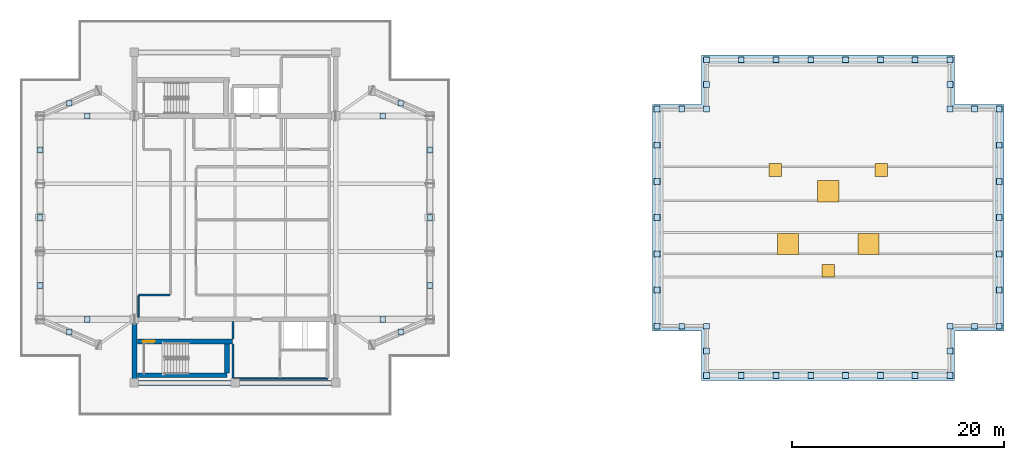
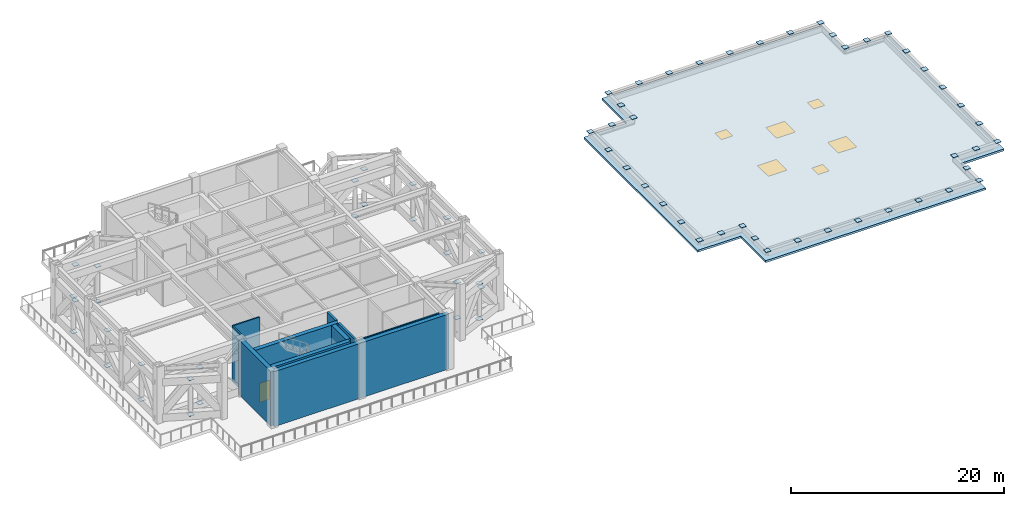
# One storey, part 5 of 11: 70 plates, 10 walls, 6 windows, 1 door, 1 slab, 7 openings.
"""IFC4 building model written with IfcOpenShell, lengths in metres."""

from ifc_helpers import new_model, si_unit, direction, frame, frame_2d, origin, origin_2d, place, context, subcontext, project, spatial, polyline, rectangle, outline, extrude, material, layer, layer_set, type_object, element, fill, save


model = new_model("IFC4")

# Units and contexts
model_context = context("Model", 3, precision=1e-05, world=origin(), true_north=direction((0.0, 1.0)))
body_context = subcontext(model_context, "Body", "Model", "MODEL_VIEW")
ifc_project = project(units=[si_unit("LENGTHUNIT", "METRE"), si_unit("AREAUNIT", "SQUARE_METRE"), si_unit("VOLUMEUNIT", "CUBIC_METRE"), si_unit("PLANEANGLEUNIT", "RADIAN"), si_unit("MASSUNIT", "GRAM", prefix="KILO")], contexts=[model_context])

# Site, building, storey
site_placement = place(None, origin())
site = spatial("IfcSite", under=ifc_project, at=site_placement, CompositionType="ELEMENT")
building_placement = place(site_placement, origin())
building = spatial("IfcBuilding", under=site, at=building_placement, Name="Mirazonda Arch Towers", CompositionType="ELEMENT")
storey_placement = place(building_placement, frame((0.0, 0.0, 212.89990234375)))
storey = spatial("IfcBuildingStorey", under=building, at=storey_placement, Name="L61", CompositionType="ELEMENT", Elevation=212.89990234375)

# Plates
ifc_material_1 = material(Name="Steel ASTM A572 Grade 50", Category="steel")
ifc_layer_1 = layer(ifc_material_1, 0.030029296875, Name="PLATE-CAP-550x550x30")
ifc_layer_set_1 = layer_set([ifc_layer_1], Name="Steel ASTM A572 Grade 50")
plate_type = type_object("IfcPlateType", Name="PLATE-CAP-550x550x30", PredefinedType="USERDEFINED", material=ifc_layer_set_1)
for number, where, z_axis, x_axis, name in (
    (1, (2.10009765625, 21.60009765625, 0.52197265625), (0.0, 0.0, 1.0), (1.0, 0.0, 0.0), "Steel end closure plate NP-BLT-L61-T1-ST01A"),
    (2, (2.10009765625, 21.60009765625, 4.608154296875), (0.0, 0.0, 1.0), (1.0, 0.0, 0.0), "Steel end closure plate NP-BLT-L61-T1-ST01B"),
    (3, (2.10009765625, 28.0, 0.52197265625), (0.0, 0.0, 1.0), (1.0, 0.0, 0.0), "Steel end closure plate NP-BLT-L61-T1-ST02A"),
    (4, (2.10009765625, 28.0, 4.608154296875), (0.0, 0.0, 1.0), (1.0, 0.0, 0.0), "Steel end closure plate NP-BLT-L61-T1-ST02B"),
    (5, (2.10009765625, 34.39990234375, 0.52197265625), (0.0, 0.0, 1.0), (1.0, 0.0, 0.0), "Steel end closure plate NP-BLT-L61-T1-ST03A"),
    (6, (2.10009765625, 34.39990234375, 4.608154296875), (0.0, 0.0, 1.0), (1.0, 0.0, 0.0), "Steel end closure plate NP-BLT-L61-T1-ST03B"),
    (7, (38.89990234375, 21.60009765625, 0.52197265625), (0.0, 0.0, 1.0), (1.0, 0.0, 0.0), "Steel end closure plate NP-BLT-L61-T1-ST04A"),
    (8, (38.89990234375, 21.60009765625, 4.608154296875), (0.0, 0.0, 1.0), (1.0, 0.0, 0.0), "Steel end closure plate NP-BLT-L61-T1-ST04B"),
    (9, (38.89990234375, 28.0, 0.52197265625), (0.0, 0.0, 1.0), (1.0, 0.0, 0.0), "Steel end closure plate NP-BLT-L61-T1-ST05A"),
    (10, (38.89990234375, 28.0, 4.608154296875), (0.0, 0.0, 1.0), (1.0, 0.0, 0.0), "Steel end closure plate NP-BLT-L61-T1-ST05B"),
    (11, (38.89990234375, 34.39990234375, 0.52197265625), (0.0, 0.0, 1.0), (1.0, 0.0, 0.0), "Steel end closure plate NP-BLT-L61-T1-ST06A"),
    (12, (38.89990234375, 34.39990234375, 4.608154296875), (0.0, 0.0, 1.0), (1.0, 0.0, 0.0), "Steel end closure plate NP-BLT-L61-T1-ST06B"),
    (13, (4.85009765625, 17.199951171875, 0.52197265625), (0.0, 0.0, 1.0), (1.0, 0.0, 0.0), "Steel end closure plate NP-BLT-L61-T1-ST07A"),
    (14, (4.85009765625, 17.199951171875, 4.608154296875), (0.0, 0.0, 1.0), (1.0, 0.0, 0.0), "Steel end closure plate NP-BLT-L61-T1-ST07B"),
    (15, (36.14990234375, 17.199951171875, 0.52197265625), (0.0, 0.0, 1.0), (1.0, 0.0, 0.0), "Steel end closure plate NP-BLT-L61-T1-ST08A"),
    (16, (36.14990234375, 17.199951171875, 4.608154296875), (0.0, 0.0, 1.0), (1.0, 0.0, 0.0), "Steel end closure plate NP-BLT-L61-T1-ST08B"),
    (17, (4.85009765625, 38.800048828125, 0.52197265625), (0.0, 0.0, 1.0), (1.0, 0.0, 0.0), "Steel end closure plate NP-BLT-L61-T1-ST09A"),
    (18, (4.85009765625, 38.800048828125, 4.608154296875), (0.0, 0.0, 1.0), (1.0, 0.0, 0.0), "Steel end closure plate NP-BLT-L61-T1-ST09B"),
    (19, (36.14990234375, 38.800048828125, 0.52197265625), (0.0, 0.0, 1.0), (1.0, 0.0, 0.0), "Steel end closure plate NP-BLT-L61-T1-ST10A"),
    (20, (36.14990234375, 38.800048828125, 4.608154296875), (0.0, 0.0, 1.0), (1.0, 0.0, 0.0), "Steel end closure plate NP-BLT-L61-T1-ST10B"),
    (21, (6.550048828125, 18.39990234375, 0.52197265625), (0.0, 0.0, 1.0), (1.0, 0.0, 0.0), "Steel end closure plate NP-OUT-L61-T1-ST01A"),
    (22, (6.550048828125, 18.39990234375, 4.608154296875), (0.0, 0.0, 1.0), (1.0, 0.0, 0.0), "Steel end closure plate NP-OUT-L61-T1-ST01B"),
    (23, (34.449951171875, 18.39990234375, 0.52197265625), (0.0, 0.0, 1.0), (1.0, 0.0, 0.0), "Steel end closure plate NP-OUT-L61-T1-ST02A"),
    (24, (34.449951171875, 18.39990234375, 4.608154296875), (0.0, 0.0, 1.0), (1.0, 0.0, 0.0), "Steel end closure plate NP-OUT-L61-T1-ST02B"),
    (25, (6.550048828125, 37.60009765625, 0.52197265625), (0.0, 0.0, 1.0), (1.0, 0.0, 0.0), "Steel end closure plate NP-OUT-L61-T1-ST03A"),
    (26, (6.550048828125, 37.60009765625, 4.608154296875), (0.0, 0.0, 1.0), (1.0, 0.0, 0.0), "Steel end closure plate NP-OUT-L61-T1-ST03B"),
    (27, (34.449951171875, 37.60009765625, 0.52197265625), (0.0, 0.0, 1.0), (1.0, 0.0, 0.0), "Steel end closure plate NP-OUT-L61-T1-ST04A"),
    (28, (34.449951171875, 37.60009765625, 4.608154296875), (0.0, 0.0, 1.0), (1.0, 0.0, 0.0), "Steel end closure plate NP-OUT-L61-T1-ST04B"),
    (29, (65.01220703125, 13.091552734375, 0.738037109375), (0.0, 0.0, 1.0), (1.0, 0.0, 0.0), "Steel end closure plate NP-CRN-T2-P01T"),
    (30, (68.29443359375, 13.091552734375, 0.738037109375), (0.0, 0.0, 1.0), (1.0, 0.0, 0.0), "Steel end closure plate NP-CRN-T2-P02T"),
    (31, (71.57666015625, 13.091552734375, 0.738037109375), (0.0, 0.0, 1.0), (1.0, 0.0, 0.0), "Steel end closure plate NP-CRN-T2-P03T"),
    (32, (74.85888671875, 13.091552734375, 0.738037109375), (0.0, 0.0, 1.0), (1.0, 0.0, 0.0), "Steel end closure plate NP-CRN-T2-P04T"),
    (33, (78.14111328125, 13.091552734375, 0.738037109375), (0.0, 0.0, 1.0), (1.0, 0.0, 0.0), "Steel end closure plate NP-CRN-T2-P05T"),
    (34, (81.42333984375, 13.091552734375, 0.738037109375), (0.0, 0.0, 1.0), (1.0, 0.0, 0.0), "Steel end closure plate NP-CRN-T2-P06T"),
    (35, (84.70556640625, 13.091552734375, 0.738037109375), (0.0, 0.0, 1.0), (1.0, 0.0, 0.0), "Steel end closure plate NP-CRN-T2-P07T"),
    (36, (87.98779296875, 13.091552734375, 0.738037109375), (0.0, 0.0, 1.0), (1.0, 0.0, 0.0), "Steel end closure plate NP-CRN-T2-P08T"),
    (37, (87.98779296875, 15.42138671875, 0.738037109375), (0.0, 0.0, 1.0), (1.0, 0.0, 0.0), "Steel end closure plate NP-CRN-T2-P09T"),
    (38, (87.98779296875, 17.751220703125, 0.738037109375), (0.0, 0.0, 1.0), (1.0, 0.0, 0.0), "Steel end closure plate NP-CRN-T2-P10T"),
    (39, (90.317626953125, 17.751220703125, 0.738037109375), (0.0, 0.0, 1.0), (1.0, 0.0, 0.0), "Steel end closure plate NP-CRN-T2-P11T"),
    (40, (92.6474609375, 17.751220703125, 0.738037109375), (0.0, 0.0, 1.0), (1.0, 0.0, 0.0), "Steel end closure plate NP-CRN-T2-P12T"),
    (41, (92.6474609375, 21.16748046875, 0.738037109375), (0.0, 0.0, 1.0), (1.0, 0.0, 0.0), "Steel end closure plate NP-CRN-T2-P13T"),
    (42, (92.6474609375, 24.583740234375, 0.738037109375), (0.0, 0.0, 1.0), (1.0, 0.0, 0.0), "Steel end closure plate NP-CRN-T2-P14T"),
    (43, (92.6474609375, 28.0, 0.738037109375), (0.0, 0.0, 1.0), (1.0, 0.0, 0.0), "Steel end closure plate NP-CRN-T2-P15T"),
    (44, (92.6474609375, 31.416259765625, 0.738037109375), (0.0, 0.0, 1.0), (1.0, 0.0, 0.0), "Steel end closure plate NP-CRN-T2-P16T"),
    (45, (92.6474609375, 34.83251953125, 0.738037109375), (0.0, 0.0, 1.0), (1.0, 0.0, 0.0), "Steel end closure plate NP-CRN-T2-P17T"),
    (46, (92.6474609375, 38.248779296875, 0.738037109375), (0.0, 0.0, 1.0), (1.0, 0.0, 0.0), "Steel end closure plate NP-CRN-T2-P18T"),
    (47, (90.317626953125, 38.248779296875, 0.738037109375), (0.0, 0.0, 1.0), (1.0, 0.0, 0.0), "Steel end closure plate NP-CRN-T2-P19T"),
    (48, (87.98779296875, 38.248779296875, 0.738037109375), (0.0, 0.0, 1.0), (1.0, 0.0, 0.0), "Steel end closure plate NP-CRN-T2-P20T"),
    (49, (87.98779296875, 40.57861328125, 0.738037109375), (0.0, 0.0, 1.0), (1.0, 0.0, 0.0), "Steel end closure plate NP-CRN-T2-P21T"),
    (50, (87.98779296875, 42.908447265625, 0.738037109375), (0.0, 0.0, 1.0), (1.0, 0.0, 0.0), "Steel end closure plate NP-CRN-T2-P22T"),
    (51, (84.70556640625, 42.908447265625, 0.738037109375), (0.0, 0.0, 1.0), (1.0, 0.0, 0.0), "Steel end closure plate NP-CRN-T2-P23T"),
    (52, (81.42333984375, 42.908447265625, 0.738037109375), (0.0, 0.0, 1.0), (1.0, 0.0, 0.0), "Steel end closure plate NP-CRN-T2-P24T"),
    (53, (78.14111328125, 42.908447265625, 0.738037109375), (0.0, 0.0, 1.0), (1.0, 0.0, 0.0), "Steel end closure plate NP-CRN-T2-P25T"),
    (54, (74.85888671875, 42.908447265625, 0.738037109375), (0.0, 0.0, 1.0), (1.0, 0.0, 0.0), "Steel end closure plate NP-CRN-T2-P26T"),
    (55, (71.57666015625, 42.908447265625, 0.738037109375), (0.0, 0.0, 1.0), (1.0, 0.0, 0.0), "Steel end closure plate NP-CRN-T2-P27T"),
    (56, (68.29443359375, 42.908447265625, 0.738037109375), (0.0, 0.0, 1.0), (1.0, 0.0, 0.0), "Steel end closure plate NP-CRN-T2-P28T"),
    (57, (65.01220703125, 42.908447265625, 0.738037109375), (0.0, 0.0, 1.0), (1.0, 0.0, 0.0), "Steel end closure plate NP-CRN-T2-P29T"),
    (58, (65.01220703125, 40.57861328125, 0.738037109375), (0.0, 0.0, 1.0), (1.0, 0.0, 0.0), "Steel end closure plate NP-CRN-T2-P30T"),
    (59, (65.01220703125, 38.248779296875, 0.738037109375), (0.0, 0.0, 1.0), (1.0, 0.0, 0.0), "Steel end closure plate NP-CRN-T2-P31T"),
    (60, (62.682373046875, 38.248779296875, 0.738037109375), (0.0, 0.0, 1.0), (1.0, 0.0, 0.0), "Steel end closure plate NP-CRN-T2-P32T"),
    (61, (60.3525390625, 38.248779296875, 0.738037109375), (0.0, 0.0, 1.0), (1.0, 0.0, 0.0), "Steel end closure plate NP-CRN-T2-P33T"),
    (62, (60.3525390625, 34.83251953125, 0.738037109375), (0.0, 0.0, 1.0), (1.0, 0.0, 0.0), "Steel end closure plate NP-CRN-T2-P34T"),
    (63, (60.3525390625, 31.416259765625, 0.738037109375), (0.0, 0.0, 1.0), (1.0, 0.0, 0.0), "Steel end closure plate NP-CRN-T2-P35T"),
    (64, (60.3525390625, 28.0, 0.738037109375), (0.0, 0.0, 1.0), (1.0, 0.0, 0.0), "Steel end closure plate NP-CRN-T2-P36T"),
    (65, (60.3525390625, 24.583740234375, 0.738037109375), (0.0, 0.0, 1.0), (1.0, 0.0, 0.0), "Steel end closure plate NP-CRN-T2-P37T"),
    (66, (60.3525390625, 21.16748046875, 0.738037109375), (0.0, 0.0, 1.0), (1.0, 0.0, 0.0), "Steel end closure plate NP-CRN-T2-P38T"),
    (67, (60.3525390625, 17.751220703125, 0.738037109375), (0.0, 0.0, 1.0), (1.0, 0.0, 0.0), "Steel end closure plate NP-CRN-T2-P39T"),
    (68, (62.682373046875, 17.751220703125, 0.738037109375), (0.0, 0.0, 1.0), (1.0, 0.0, 0.0), "Steel end closure plate NP-CRN-T2-P40T"),
    (69, (65.01220703125, 17.751220703125, 0.738037109375), (0.0, 0.0, 1.0), (1.0, 0.0, 0.0), "Steel end closure plate NP-CRN-T2-P41T"),
    (70, (65.01220703125, 15.42138671875, 0.738037109375), (0.0, 0.0, 1.0), (1.0, 0.0, 0.0), "Steel end closure plate NP-CRN-T2-P42T"),
):
    element("IfcPlate", number, at=place(storey_placement, frame(where, z_axis=z_axis, x_axis=x_axis)), inside=storey, type_object=plate_type, Name=name, ObjectType="CAP PLATE", PredefinedType="USERDEFINED", context=body_context, shape_type="SweptSolid", body=[
        extrude(rectangle(XDim=0.550048828125, YDim=0.550048828125, at=origin_2d()), origin(), (0.0, 0.0, 1.0), 0.0400390625),
    ])

# Slab, openings, windows
ifc_material_2 = material(Name="Concrete C40/50", Category="concrete")
ifc_layer_2 = layer(ifc_material_2, 0.22998046875, Name="SLAB-ROOF-CROWN-230")
ifc_layer_set_2 = layer_set([ifc_layer_2], Name="Concrete C40/50")
slab_type = type_object("IfcSlabType", Name="SLAB-ROOF-CROWN-230", PredefinedType="ROOF", material=ifc_layer_set_2)
slab_placement = place(storey_placement, frame((0.0, 0.0, -0.22998046875)))
slab = element("IfcSlab", 71, at=slab_placement, inside=storey, type_object=slab_type, Name="L61 Tower 2 Closed Constructivist Ring Crown Roof Cap", PredefinedType="ROOF", context=body_context, shape_type="SweptSolid", body=[
    extrude(outline(polyline([(88.437744140625, 12.6416015625), (88.437744140625, 17.30126953125), (93.097412109375, 17.30126953125), (93.097412109375, 38.69873046875), (88.437744140625, 38.69873046875), (88.437744140625, 43.3583984375), (64.562255859375, 43.3583984375), (64.562255859375, 38.69873046875), (59.902587890625, 38.69873046875), (59.902587890625, 17.30126953125), (64.562255859375, 17.30126953125), (64.562255859375, 12.6416015625), (88.437744140625, 12.6416015625)])), origin(), (0.0, 0.0, 1.0), 0.22998046875),
])
opening_1_placement = place(slab_placement, frame((72.699951171875, 25.5, 0.0)))
opening_1 = element("IfcOpeningElement", 72, at=opening_1_placement, cuts=slab, Name="Opening WN-131", PredefinedType="OPENING", context=body_context, shape_type="SweptSolid", body=[
    extrude(rectangle(XDim=2.0, YDim=2.0, at=origin_2d()), frame((0.0, 0.0, -0.010009765625)), (0.0, 0.0, 1.0), 0.25),
])
opening_2_placement = place(slab_placement, frame((80.300048828125, 25.5, 0.0)))
opening_2 = element("IfcOpeningElement", 73, at=opening_2_placement, cuts=slab, Name="Opening WN-131", PredefinedType="OPENING", context=body_context, shape_type="SweptSolid", body=[
    extrude(rectangle(XDim=2.0, YDim=2.0, at=origin_2d()), frame((0.0, 0.0, -0.010009765625)), (0.0, 0.0, 1.0), 0.25),
])
opening_3_placement = place(slab_placement, frame((76.5, 30.5, 0.0)))
opening_3 = element("IfcOpeningElement", 74, at=opening_3_placement, cuts=slab, Name="Opening WN-131", PredefinedType="OPENING", context=body_context, shape_type="SweptSolid", body=[
    extrude(rectangle(XDim=2.0, YDim=2.0, at=origin_2d()), frame((0.0, 0.0, -0.010009765625)), (0.0, 0.0, 1.0), 0.25),
])
opening_4_placement = place(slab_placement, frame((71.5, 32.5, 0.0)))
opening_4 = element("IfcOpeningElement", 75, at=opening_4_placement, cuts=slab, Name="Opening WN-110", PredefinedType="OPENING", context=body_context, shape_type="SweptSolid", body=[
    extrude(rectangle(XDim=1.199951171875, YDim=1.199951171875, at=origin_2d()), frame((0.0, 0.0, -0.010009765625)), (0.0, 0.0, 1.0), 0.25),
])
opening_5_placement = place(slab_placement, frame((81.5, 32.5, 0.0)))
opening_5 = element("IfcOpeningElement", 76, at=opening_5_placement, cuts=slab, Name="Opening WN-110", PredefinedType="OPENING", context=body_context, shape_type="SweptSolid", body=[
    extrude(rectangle(XDim=1.199951171875, YDim=1.199951171875, at=origin_2d()), frame((0.0, 0.0, -0.010009765625)), (0.0, 0.0, 1.0), 0.25),
])
opening_6_placement = place(slab_placement, frame((76.5, 23.0, 0.0)))
opening_6 = element("IfcOpeningElement", 77, at=opening_6_placement, cuts=slab, Name="Opening WN-110", PredefinedType="OPENING", context=body_context, shape_type="SweptSolid", body=[
    extrude(rectangle(XDim=1.199951171875, YDim=1.199951171875, at=origin_2d()), frame((0.0, 0.0, -0.010009765625)), (0.0, 0.0, 1.0), 0.25),
])
ifc_material_3 = material(Name="Insulated Low-E Solar Glass", Category="glass")
window_type_1 = type_object("IfcWindowType", Name="WIN-HATCH-ROOF-1200x1200", PartitioningType="SINGLE_PANEL", PredefinedType="SKYLIGHT", material=ifc_material_3)
window_1_placement = place(opening_4_placement, frame((0.0, 0.0, 0.179931640625)))
window_1 = element("IfcWindow", 78, at=window_1_placement, inside=storey, type_object=window_type_1, Name="T2 Crown Roof Maintenance Access Hatch 1", OverallHeight=1.199951171875, OverallWidth=1.199951171875, PartitioningType="SINGLE_PANEL", PredefinedType="SKYLIGHT", context=body_context, shape_type="SweptSolid", body=[
    extrude(rectangle(XDim=1.199951171875, YDim=1.199951171875, at=origin_2d()), origin(), (0.0, 0.0, 1.0), 0.050048828125),
])
fill(opening_4, window_1)
window_2_placement = place(opening_5_placement, frame((0.0, 0.0, 0.179931640625)))
window_2 = element("IfcWindow", 79, at=window_2_placement, inside=storey, type_object=window_type_1, Name="T2 Crown Roof Maintenance Access Hatch 2", OverallHeight=1.199951171875, OverallWidth=1.199951171875, PartitioningType="SINGLE_PANEL", PredefinedType="SKYLIGHT", context=body_context, shape_type="SweptSolid", body=[
    extrude(rectangle(XDim=1.199951171875, YDim=1.199951171875, at=origin_2d()), origin(), (0.0, 0.0, 1.0), 0.050048828125),
])
fill(opening_5, window_2)
window_3_placement = place(opening_6_placement, frame((0.0, 0.0, 0.179931640625)))
window_3 = element("IfcWindow", 80, at=window_3_placement, inside=storey, type_object=window_type_1, Name="T2 Crown Roof Maintenance Access Hatch 3", OverallHeight=1.199951171875, OverallWidth=1.199951171875, PartitioningType="SINGLE_PANEL", PredefinedType="SKYLIGHT", context=body_context, shape_type="SweptSolid", body=[
    extrude(rectangle(XDim=1.199951171875, YDim=1.199951171875, at=origin_2d()), origin(), (0.0, 0.0, 1.0), 0.050048828125),
])
fill(opening_6, window_3)
window_type_2 = type_object("IfcWindowType", Name="WIN-SKY-CROWN-2000x2000", PartitioningType="SINGLE_PANEL", PredefinedType="SKYLIGHT", material=ifc_material_3)
window_4_placement = place(opening_1_placement, frame((0.0, 0.0, 0.179931640625)))
window_4 = element("IfcWindow", 81, at=window_4_placement, inside=storey, type_object=window_type_2, Name="T2 Crown Roof Skylight 1", OverallHeight=2.0, OverallWidth=2.0, PartitioningType="SINGLE_PANEL", PredefinedType="SKYLIGHT", context=body_context, shape_type="SweptSolid", body=[
    extrude(rectangle(XDim=2.0, YDim=2.0, at=origin_2d()), origin(), (0.0, 0.0, 1.0), 0.050048828125),
])
fill(opening_1, window_4)
window_5_placement = place(opening_2_placement, frame((0.0, 0.0, 0.179931640625)))
window_5 = element("IfcWindow", 82, at=window_5_placement, inside=storey, type_object=window_type_2, Name="T2 Crown Roof Skylight 2", OverallHeight=2.0, OverallWidth=2.0, PartitioningType="SINGLE_PANEL", PredefinedType="SKYLIGHT", context=body_context, shape_type="SweptSolid", body=[
    extrude(rectangle(XDim=2.0, YDim=2.0, at=origin_2d()), origin(), (0.0, 0.0, 1.0), 0.050048828125),
])
fill(opening_2, window_5)
window_6_placement = place(opening_3_placement, frame((0.0, 0.0, 0.179931640625)))
window_6 = element("IfcWindow", 83, at=window_6_placement, inside=storey, type_object=window_type_2, Name="T2 Crown Roof Skylight 3", OverallHeight=2.0, OverallWidth=2.0, PartitioningType="SINGLE_PANEL", PredefinedType="SKYLIGHT", context=body_context, shape_type="SweptSolid", body=[
    extrude(rectangle(XDim=2.0, YDim=2.0, at=origin_2d()), origin(), (0.0, 0.0, 1.0), 0.050048828125),
])
fill(opening_3, window_6)

# Walls
ifc_material_4 = material(Name="Concrete C50/60", Category="concrete")
ifc_layer_3 = layer(ifc_material_4, 0.449951171875, Name="WALL-CORE-450")
ifc_layer_set_3 = layer_set([ifc_layer_3], Name="Concrete C50/60")
wall_type_1 = type_object("IfcWallType", Name="WALL-CORE-450", PredefinedType="SHEAR", material=ifc_layer_set_3)
wall_1_placement = place(storey_placement, frame((11.0, 12.39990234375, 0.0), z_axis=(0.0, 0.0, 1.0), x_axis=(1.0, 0.0, 0.0)))
element("IfcWall", 84, at=wall_1_placement, inside=storey, type_object=wall_type_1, Name="L61 T1S-S Core Shear Wall", PredefinedType="SHEAR", context=body_context, shape_type="SweptSolid", body=[
    extrude(rectangle(XDim=19.0, YDim=0.449951171875, at=frame_2d((9.5, 0.0))), origin(), (0.0, 0.0, 1.0), 6.300048828125),
])
wall_2_placement = place(storey_placement, frame((11.0, 12.39990234375, 0.0), z_axis=(0.0, 0.0, 1.0), x_axis=(0.0, 1.0, 0.0)))
element("IfcWall", 85, at=wall_2_placement, inside=storey, type_object=wall_type_1, Name="L61 T1S-W Core Shear Wall", PredefinedType="SHEAR", context=body_context, shape_type="SweptSolid", body=[
    extrude(rectangle(XDim=6.0, YDim=0.449951171875, at=frame_2d((3.0, 0.0))), origin(), (0.0, 0.0, 1.0), 6.300048828125),
])
wall_3_placement = place(storey_placement, frame((11.27001953125, 13.1201171875, 0.0), z_axis=(0.0, 0.0, 1.0), x_axis=(1.0, 0.0, 0.0)))
element("IfcWall", 86, at=wall_3_placement, inside=storey, type_object=wall_type_1, Name="L61 Stair Core Shear Wall 002", PredefinedType="SHEAR", context=body_context, shape_type="SweptSolid", body=[
    extrude(rectangle(XDim=8.4599609375, YDim=0.449951171875, at=frame_2d((4.22998046875, 0.0))), origin(), (0.0, 0.0, 1.0), 6.300048828125),
])

# Wall, opening, door
wall_4_placement = place(storey_placement, frame((11.27001953125, 16.320068359375, 0.0), z_axis=(0.0, 0.0, 1.0), x_axis=(1.0, 0.0, 0.0)))
wall_4 = element("IfcWall", 87, at=wall_4_placement, inside=storey, type_object=wall_type_1, Name="L61 Stair Core Shear Wall 004", PredefinedType="SHEAR", context=body_context, shape_type="SweptSolid", body=[
    extrude(rectangle(XDim=9.010009765625, YDim=0.449951171875, at=frame_2d((4.5048828125, 0.0))), origin(), (0.0, 0.0, 1.0), 6.300048828125),
])
opening_7_placement = place(wall_4_placement, frame((0.52001953125, 0.0, 0.0)))
opening_7 = element("IfcOpeningElement", 88, at=opening_7_placement, cuts=wall_4, Name="Opening DR-135", PredefinedType="OPENING", context=body_context, shape_type="SweptSolid", body=[
    extrude(rectangle(XDim=1.14990234375, YDim=2.199951171875, at=frame_2d((0.574951171875, 1.10009765625))), frame((0.0, 0.23486328125, 0.0), z_axis=(0.0, -1.0, 0.0), x_axis=(1.0, 0.0, 0.0)), (0.0, 0.0, 1.0), 0.469970703125),
])
ifc_material_5 = material(Name="Architectural Brushed Steel S355", Category="steel")
door_type = type_object("IfcDoorType", Name="DOOR-STAIR-FD90-1150", OperationType="NOTDEFINED", PredefinedType="DOOR", material=ifc_material_5)
door_placement = place(opening_7_placement, origin())
door = element("IfcDoor", 89, at=door_placement, inside=storey, type_object=door_type, Name="L61 Protected Exit Stair South Door", OperationType="SINGLE_SWING_LEFT", OverallHeight=2.199951171875, OverallWidth=1.14990234375, PredefinedType="DOOR", context=body_context, shape_type="SweptSolid", body=[
    extrude(rectangle(XDim=1.14990234375, YDim=2.199951171875, at=frame_2d((0.574951171875, 1.10009765625))), frame((0.0, 0.02490234375, 0.0), z_axis=(0.0, -1.0, 0.0), x_axis=(1.0, 0.0, 0.0)), (0.0, 0.0, 1.0), 0.050048828125),
])
fill(opening_7, door)

# Walls
wall_5_placement = place(storey_placement, frame((19.72998046875, 13.35498046875, 0.0), z_axis=(0.0, 0.0, 1.0), x_axis=(0.0, 1.0, 0.0)))
element("IfcWall", 90, at=wall_5_placement, inside=storey, type_object=wall_type_1, Name="L61 Stair Core Shear Wall 018", PredefinedType="SHEAR", context=body_context, shape_type="SweptSolid", body=[
    extrude(rectangle(XDim=2.72998046875, YDim=0.449951171875, at=frame_2d((1.364990234375, 0.0))), origin(), (0.0, 0.0, 1.0), 6.300048828125),
])
ifc_layer_4 = layer(ifc_material_2, 0.219970703125, Name="WALL-FFL-220")
ifc_layer_set_4 = layer_set([ifc_layer_4], Name="Concrete C40/50")
wall_type_2 = type_object("IfcWallType", Name="WALL-FFL-220", PredefinedType="SOLIDWALL", material=ifc_layer_set_4)
wall_6_placement = place(storey_placement, frame((20.31494140625, 12.885009765625, 0.0), z_axis=(0.0, 0.0, 1.0), x_axis=(0.0, 1.0, 0.0)))
element("IfcWall", 91, at=wall_6_placement, inside=storey, type_object=wall_type_2, Name="L61 Interior Partition 020", PredefinedType="SOLIDWALL", context=body_context, shape_type="SweptSolid", body=[
    extrude(rectangle(XDim=3.199951171875, YDim=0.219970703125, at=frame_2d((1.60009765625, 0.0))), origin(), (0.0, 0.0, 1.0), 6.300048828125),
])
wall_7_placement = place(storey_placement, frame((20.31494140625, 16.554931640625, 0.0), z_axis=(0.0, 0.0, 1.0), x_axis=(0.0, 1.0, 0.0)))
element("IfcWall", 92, at=wall_7_placement, inside=storey, type_object=wall_type_2, Name="L61 Interior Partition 021", PredefinedType="SOLIDWALL", context=body_context, shape_type="SweptSolid", body=[
    extrude(rectangle(XDim=1.625, YDim=0.219970703125, at=frame_2d((0.8125, 0.0))), origin(), (0.0, 0.0, 1.0), 6.300048828125),
])
ifc_material_6 = material(Name="Fire-Rated Gypsum Stud Partition")
ifc_layer_5 = layer(ifc_material_6, 0.14990234375, Name="WALL-PART-CORR-150")
ifc_layer_set_5 = layer_set([ifc_layer_5], Name="Fire-Rated Gypsum Stud Partition")
wall_type_3 = type_object("IfcWallType", Name="WALL-PART-CORR-150", PredefinedType="PARTITIONING", material=ifc_layer_set_5)
wall_8_placement = place(storey_placement, frame((20.35009765625, 12.800048828125, 0.0), z_axis=(0.0, 0.0, 1.0), x_axis=(1.0, 0.0, 0.0)))
element("IfcWall", 93, at=wall_8_placement, inside=storey, type_object=wall_type_3, Name="L61 Interior Partition 001", PredefinedType="PARTITIONING", context=body_context, shape_type="SweptSolid", body=[
    extrude(rectangle(XDim=8.89990234375, YDim=0.14990234375, at=frame_2d((4.449951171875, 0.0))), origin(), (0.0, 0.0, 1.0), 6.300048828125),
])
wall_9_placement = place(storey_placement, frame((11.39990234375, 20.699951171875, 0.0), z_axis=(0.0, 0.0, 1.0), x_axis=(1.0, 0.0, 0.0)))
element("IfcWall", 94, at=wall_9_placement, inside=storey, type_object=wall_type_3, Name="L61 Interior Partition 005", PredefinedType="PARTITIONING", context=body_context, shape_type="SweptSolid", body=[
    extrude(rectangle(XDim=2.9501953125, YDim=0.14990234375, at=frame_2d((1.47509765625, 0.0))), origin(), (0.0, 0.0, 1.0), 6.300048828125),
])
wall_10_placement = place(storey_placement, frame((11.39990234375, 18.6201171875, 0.0), z_axis=(0.0, 0.0, 1.0), x_axis=(0.0, 1.0, 0.0)))
element("IfcWall", 95, at=wall_10_placement, inside=storey, type_object=wall_type_3, Name="L61 Interior Partition 013", PredefinedType="PARTITIONING", context=body_context, shape_type="SweptSolid", body=[
    extrude(rectangle(XDim=1.994873046875, YDim=0.14990234375, at=frame_2d((0.99755859375, 0.0))), origin(), (0.0, 0.0, 1.0), 6.300048828125),
])

save(model, "model.ifc")
